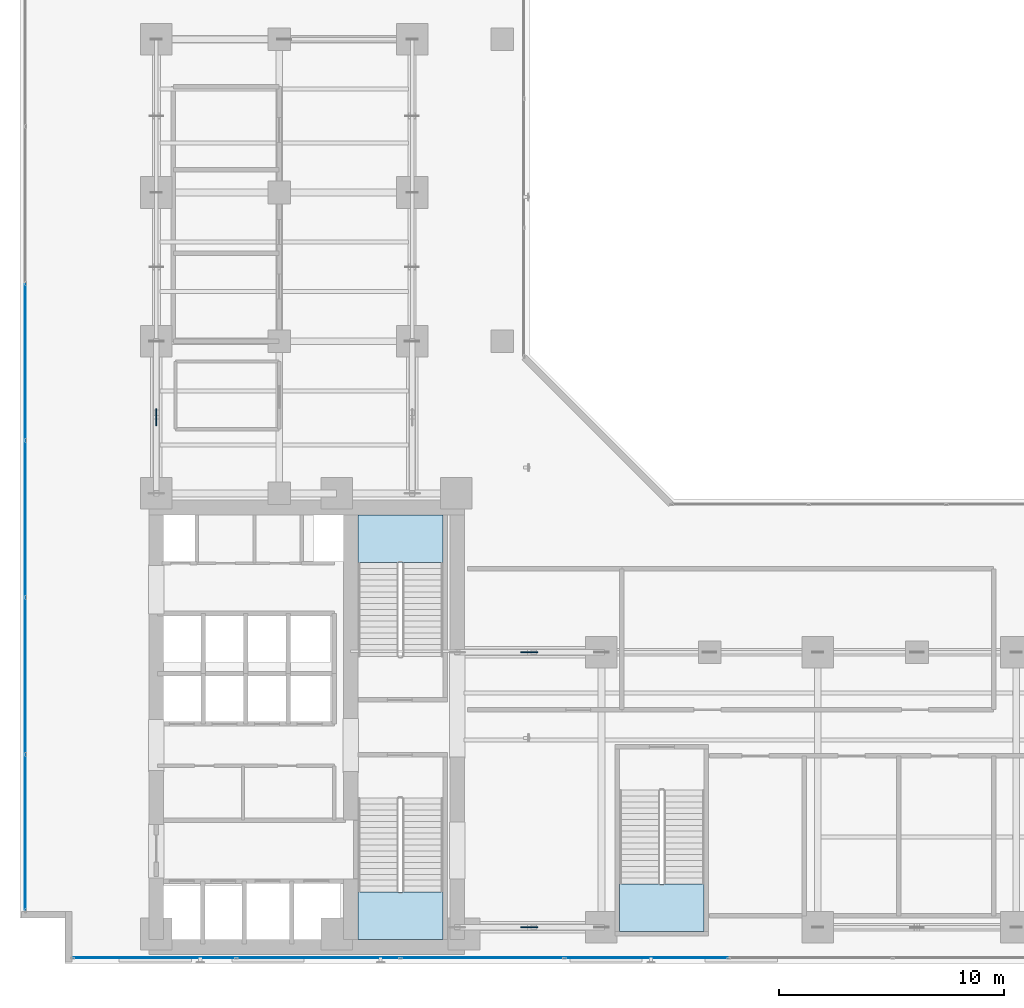
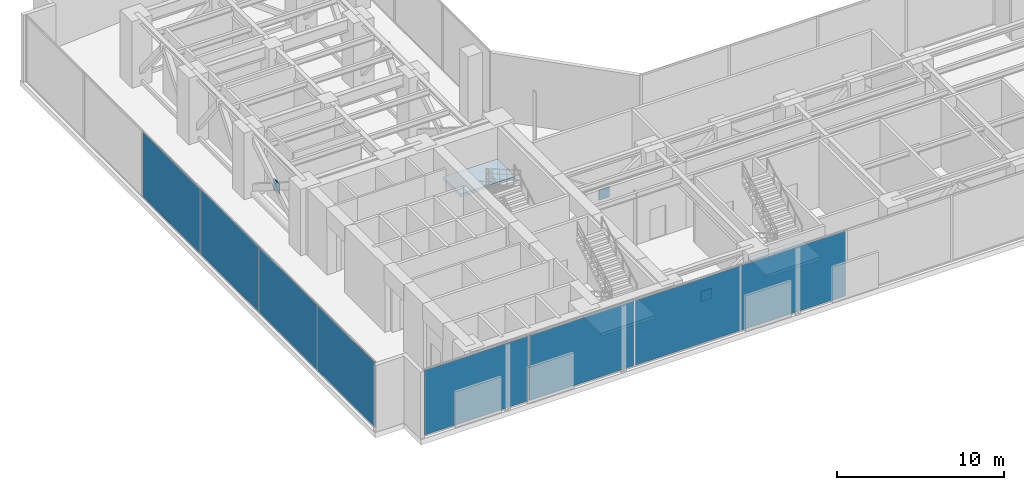
# One storey, part 25 of 37: 11 plates, 3 slabs, 5 elements without a shape of their own.
"""IFC4 building model written with IfcOpenShell, lengths in metres."""

from ifc_helpers import new_model, si_unit, direction, frame, origin, origin_with_axes, origin_2d, place, context, subcontext, project, spatial, polyline, rectangle, outline, extrude, source, transform, mapped, material, layer, layer_set, type_object, element, aggregate, save


model = new_model("IFC4")

# Units and contexts
model_context = context("Model", 3, precision=1e-05, world=origin(), true_north=direction((0.0, 1.0)))
body_context = subcontext(model_context, "Body", "Model", "MODEL_VIEW")
ifc_project = project(units=[si_unit("LENGTHUNIT", "METRE"), si_unit("AREAUNIT", "SQUARE_METRE"), si_unit("VOLUMEUNIT", "CUBIC_METRE"), si_unit("PLANEANGLEUNIT", "RADIAN"), si_unit("MASSUNIT", "GRAM", prefix="KILO")], contexts=[model_context])

# Site, building, storey
site_placement = place(None, origin())
site = spatial("IfcSite", under=ifc_project, at=site_placement, CompositionType="ELEMENT")
building_placement = place(site_placement, origin())
building = spatial("IfcBuilding", under=site, at=building_placement, Name="Kolvaren Waterfront Exchange", CompositionType="ELEMENT")
storey_placement = place(building_placement, frame((0.0, 0.0, 141.10009765625)))
storey = spatial("IfcBuildingStorey", under=building, at=storey_placement, Name="L36", CompositionType="ELEMENT", Elevation=141.10009765625)

# Stair, slab
ifc_material_1 = material(Name="Concrete C40/50", Category="concrete")
stair_type = type_object("IfcStairType", Name="ARC-STAIR-5100", PredefinedType="HALF_TURN_STAIR", material=ifc_material_1)
stair_1_placement = place(storey_placement, origin())
stair_1 = element("IfcStair", 1, at=stair_1_placement, inside=storey, type_object=stair_type, Name="L36 Smoke-proof exit stair ST1", PredefinedType="HALF_TURN_STAIR")
ifc_layer_1 = layer(ifc_material_1, 0.199951171875, Name="Concrete C40/50")
ifc_layer_set_1 = layer_set([ifc_layer_1], Name="Concrete C40/50")
slab_type = type_object("IfcSlabType", Name="STR-LANDING-200", PredefinedType="LANDING", material=ifc_layer_set_1)
slab_1_placement = place(storey_placement, frame((0.0, 0.0, 2.349853515625)))
slab_1 = element("IfcSlab", 2, at=slab_1_placement, type_object=slab_type, Name="ST1 landing 1", PredefinedType="LANDING", context=body_context, shape_type="SweptSolid", body=[
    extrude(outline(polyline([(16.39990234375, 6.77001953125), (16.39990234375, 4.64990234375), (20.159912109375, 4.64990234375), (20.159912109375, 6.77001953125), (16.39990234375, 6.77001953125)])), origin(), (0.0, 0.0, 1.0), 0.199951171875),
])
aggregate(stair_1, [slab_1])

stair_2_placement = place(storey_placement, origin())
stair_2 = element("IfcStair", 3, at=stair_2_placement, inside=storey, type_object=stair_type, Name="L36 Smoke-proof exit stair ST2", PredefinedType="HALF_TURN_STAIR")
slab_2_placement = place(storey_placement, frame((0.0, 0.0, 2.349853515625)))
slab_2 = element("IfcSlab", 4, at=slab_2_placement, type_object=slab_type, Name="ST2 landing 1", PredefinedType="LANDING", context=body_context, shape_type="SweptSolid", body=[
    extrude(outline(polyline([(20.159912109375, 21.3798828125), (20.159912109375, 23.5), (16.39990234375, 23.5), (16.39990234375, 21.3798828125), (20.159912109375, 21.3798828125)])), origin(), (0.0, 0.0, 1.0), 0.199951171875),
])
aggregate(stair_2, [slab_2])

stair_3_placement = place(storey_placement, origin())
stair_3 = element("IfcStair", 5, at=stair_3_placement, inside=storey, type_object=stair_type, Name="L36 Exit stair ST3", PredefinedType="HALF_TURN_STAIR")
slab_3_placement = place(storey_placement, frame((0.0, 0.0, 2.349853515625)))
slab_3 = element("IfcSlab", 6, at=slab_3_placement, type_object=slab_type, Name="ST3 landing 1", PredefinedType="LANDING", context=body_context, shape_type="SweptSolid", body=[
    extrude(outline(polyline([(28.0, 7.1201171875), (28.0, 5.0), (31.760009765625, 5.0), (31.760009765625, 7.1201171875), (28.0, 7.1201171875)])), origin(), (0.0, 0.0, 1.0), 0.199951171875),
])
aggregate(stair_3, [slab_3])

# Plates
ifc_material_2 = material(Name="Steel S460", Category="steel")
ifc_layer_2 = layer(ifc_material_2, 0.044921875, Name="Steel S460")
ifc_layer_set_2 = layer_set([ifc_layer_2], Name="Steel S460")
plate_type_1 = type_object("IfcPlateType", Name="STR-PL-ON1", PredefinedType="USERDEFINED", material=ifc_layer_set_2)
shared_shape_1 = source(origin_with_axes(), body_context, "Body", "SweptSolid", [
    extrude(rectangle(XDim=0.75, YDim=0.044921875, at=origin_2d()), origin(), (0.0, 0.0, 1.0), 0.75),
])
for number, where, z_axis, x_axis, name in (
    (7, (24.0, 5.199951171875, 2.0048828125), (0.0, 0.0, 1.0), (1.0, 0.0, 0.0), "L36 outrigger X-brace crossing gusset plate OA1"),
    (8, (24.0, 17.39990234375, 2.0048828125), (0.0, 0.0, 1.0), (1.0, 0.0, 0.0), "L36 outrigger X-brace crossing gusset plate OA2"),
):
    element("IfcPlate", number, at=place(storey_placement, frame(where, z_axis=z_axis, x_axis=x_axis)), inside=storey, type_object=plate_type_1, Name=name, ObjectType="GUSSET PLATE", PredefinedType="USERDEFINED", context=body_context, shape_type="MappedRepresentation", body=[
        mapped(shared_shape_1, transform((0.0, 0.0, 0.0), x_axis=(1.0, 0.0, 0.0), y_axis=(0.0, 1.0, 0.0), z_axis=(0.0, 0.0, 1.0), scale=1.0)),
    ])
shared_shape_2 = source(origin_with_axes(), body_context, "Body", "SweptSolid", [
    extrude(rectangle(XDim=0.044921875, YDim=0.75, at=origin_2d()), origin(), (0.0, 0.0, 1.0), 0.75),
])
plate_1_placement = place(storey_placement, frame((7.449951171875, 27.824951171875, 2.0048828125), z_axis=(0.0, 0.0, 1.0), x_axis=(1.0, 0.0, 0.0)))
element("IfcPlate", 9, at=plate_1_placement, inside=storey, type_object=plate_type_1, Name="L36 outrigger X-brace crossing gusset plate OA3", ObjectType="GUSSET PLATE", PredefinedType="USERDEFINED", context=body_context, shape_type="MappedRepresentation", body=[
    mapped(shared_shape_2, transform((0.0, 0.0, 0.0), x_axis=(1.0, 0.0, 0.0), y_axis=(0.0, 1.0, 0.0), z_axis=(0.0, 0.0, 1.0), scale=1.0)),
])

# Curtain wall, plates
ifc_material_3 = material(Name="Anodised dark bronze spandrel aluminium", Category="aluminium")
ifc_layer_3 = layer(ifc_material_3, 0.219970703125, Name="Anodised dark bronze spandrel aluminium")
ifc_layer_set_3 = layer_set([ifc_layer_3], Name="Anodised dark bronze spandrel aluminium")
curtain_wall_type = type_object("IfcCurtainWallType", Name="ARC-CW-SYS6", PredefinedType="USERDEFINED", material=ifc_layer_set_3)
curtain_wall_1_placement = place(storey_placement, origin())
curtain_wall_1 = element("IfcCurtainWall", 10, at=curtain_wall_1_placement, inside=storey, type_object=curtain_wall_type, Name="L36 stick curtain wall CW6 (CW-L36-S)", ObjectType="STICK CURTAIN WALL", PredefinedType="USERDEFINED")
ifc_layer_4 = layer(ifc_material_3, 0.0419921875, Name="Anodised dark bronze spandrel aluminium")
ifc_layer_set_4 = layer_set([ifc_layer_4], Name="Anodised dark bronze spandrel aluminium")
plate_type_2 = type_object("IfcPlateType", Name="ARC-CWP-42", PredefinedType="CURTAIN_PANEL", material=ifc_layer_set_4)
shared_shape_3 = source(origin_with_axes(), body_context, "Body", "SweptSolid", [
    extrude(rectangle(XDim=7.173095703125, YDim=0.0419921875, at=origin_2d()), origin(), (0.0, 0.0, 1.0), 4.72998046875),
])
plate_2_placement = place(storey_placement, frame((7.361572265625, 3.840087890625, 0.06494140625), z_axis=(0.0, 0.0, 1.0), x_axis=(1.0, 0.0, 0.0)))
plate_2 = element("IfcPlate", 11, at=plate_2_placement, type_object=plate_type_2, Name="CW6 panel 1.1", PredefinedType="CURTAIN_PANEL", context=body_context, shape_type="MappedRepresentation", body=[
    mapped(shared_shape_3, transform((0.0, 0.0, 0.0), x_axis=(1.0, 0.0, 0.0), y_axis=(0.0, 1.0, 0.0), z_axis=(0.0, 0.0, 1.0), scale=1.0)),
])
shared_shape_4 = source(origin_with_axes(), body_context, "Body", "SweptSolid", [
    extrude(rectangle(XDim=7.210693359375, YDim=0.0419921875, at=origin_2d()), origin(), (0.0, 0.0, 1.0), 4.72998046875),
])
plate_3_placement = place(storey_placement, frame((14.628662109375, 3.840087890625, 0.06494140625), z_axis=(0.0, 0.0, 1.0), x_axis=(1.0, 0.0, 0.0)))
plate_3 = element("IfcPlate", 12, at=plate_3_placement, type_object=plate_type_2, Name="CW6 panel 2.1", PredefinedType="CURTAIN_PANEL", context=body_context, shape_type="MappedRepresentation", body=[
    mapped(shared_shape_4, transform((0.0, 0.0, 0.0), x_axis=(1.0, 0.0, 0.0), y_axis=(0.0, 1.0, 0.0), z_axis=(0.0, 0.0, 1.0), scale=1.0)),
])
plate_4_placement = place(storey_placement, frame((21.914306640625, 3.840087890625, 0.06494140625), z_axis=(0.0, 0.0, 1.0), x_axis=(1.0, 0.0, 0.0)))
plate_4 = element("IfcPlate", 13, at=plate_4_placement, type_object=plate_type_2, Name="CW6 panel 3.1", PredefinedType="CURTAIN_PANEL", context=body_context, shape_type="MappedRepresentation", body=[
    mapped(shared_shape_4, transform((0.0, 0.0, 0.0), x_axis=(1.0, 0.0, 0.0), y_axis=(0.0, 1.0, 0.0), z_axis=(0.0, 0.0, 1.0), scale=1.0)),
])
plate_5_placement = place(storey_placement, frame((29.199951171875, 3.840087890625, 0.06494140625), z_axis=(0.0, 0.0, 1.0), x_axis=(1.0, 0.0, 0.0)))
plate_5 = element("IfcPlate", 14, at=plate_5_placement, type_object=plate_type_2, Name="CW6 panel 4.1", PredefinedType="CURTAIN_PANEL", context=body_context, shape_type="MappedRepresentation", body=[
    mapped(shared_shape_4, transform((0.0, 0.0, 0.0), x_axis=(1.0, 0.0, 0.0), y_axis=(0.0, 1.0, 0.0), z_axis=(0.0, 0.0, 1.0), scale=1.0)),
])
aggregate(curtain_wall_1, [plate_2, plate_3, plate_4, plate_5])

curtain_wall_2_placement = place(storey_placement, origin())
curtain_wall_2 = element("IfcCurtainWall", 15, at=curtain_wall_2_placement, inside=storey, type_object=curtain_wall_type, Name="L36 stick curtain wall CW6 (CW-L36-W)", ObjectType="STICK CURTAIN WALL", PredefinedType="USERDEFINED")
shared_shape_5 = source(origin_with_axes(), body_context, "Body", "SweptSolid", [
    extrude(rectangle(XDim=6.854248046875, YDim=0.0419921875, at=origin_2d()), origin(), (0.0, 0.0, 1.0), 4.72998046875),
])
plate_6_placement = place(storey_placement, frame((1.639892578125, 9.402099609375, 0.06494140625), z_axis=(0.0, 0.0, 1.0), x_axis=(0.0, 1.0, 0.0)))
plate_6 = element("IfcPlate", 16, at=plate_6_placement, type_object=plate_type_2, Name="CW6 panel 1.1", PredefinedType="CURTAIN_PANEL", context=body_context, shape_type="MappedRepresentation", body=[
    mapped(shared_shape_5, transform((0.0, 0.0, 0.0), x_axis=(1.0, 0.0, 0.0), y_axis=(0.0, 1.0, 0.0), z_axis=(0.0, 0.0, 1.0), scale=1.0)),
])
shared_shape_6 = source(origin_with_axes(), body_context, "Body", "SweptSolid", [
    extrude(rectangle(XDim=6.8916015625, YDim=0.0419921875, at=origin_2d()), origin(), (0.0, 0.0, 1.0), 4.72998046875),
])
plate_7_placement = place(storey_placement, frame((1.639892578125, 16.35009765625, 0.06494140625), z_axis=(0.0, 0.0, 1.0), x_axis=(0.0, 1.0, 0.0)))
plate_7 = element("IfcPlate", 17, at=plate_7_placement, type_object=plate_type_2, Name="CW6 panel 2.1", PredefinedType="CURTAIN_PANEL", context=body_context, shape_type="MappedRepresentation", body=[
    mapped(shared_shape_6, transform((0.0, 0.0, 0.0), x_axis=(1.0, 0.0, 0.0), y_axis=(0.0, 1.0, 0.0), z_axis=(0.0, 0.0, 1.0), scale=1.0)),
])
plate_8_placement = place(storey_placement, frame((1.639892578125, 23.316650390625, 0.06494140625), z_axis=(0.0, 0.0, 1.0), x_axis=(0.0, 1.0, 0.0)))
plate_8 = element("IfcPlate", 18, at=plate_8_placement, type_object=plate_type_2, Name="CW6 panel 3.1", PredefinedType="CURTAIN_PANEL", context=body_context, shape_type="MappedRepresentation", body=[
    mapped(shared_shape_6, transform((0.0, 0.0, 0.0), x_axis=(1.0, 0.0, 0.0), y_axis=(0.0, 1.0, 0.0), z_axis=(0.0, 0.0, 1.0), scale=1.0)),
])
plate_9_placement = place(storey_placement, frame((1.639892578125, 30.283447265625, 0.06494140625), z_axis=(0.0, 0.0, 1.0), x_axis=(0.0, 1.0, 0.0)))
plate_9 = element("IfcPlate", 19, at=plate_9_placement, type_object=plate_type_2, Name="CW6 panel 4.1", PredefinedType="CURTAIN_PANEL", context=body_context, shape_type="MappedRepresentation", body=[
    mapped(shared_shape_6, transform((0.0, 0.0, 0.0), x_axis=(1.0, 0.0, 0.0), y_axis=(0.0, 1.0, 0.0), z_axis=(0.0, 0.0, 1.0), scale=1.0)),
])
aggregate(curtain_wall_2, [plate_6, plate_7, plate_8, plate_9])

save(model, "model.ifc")
